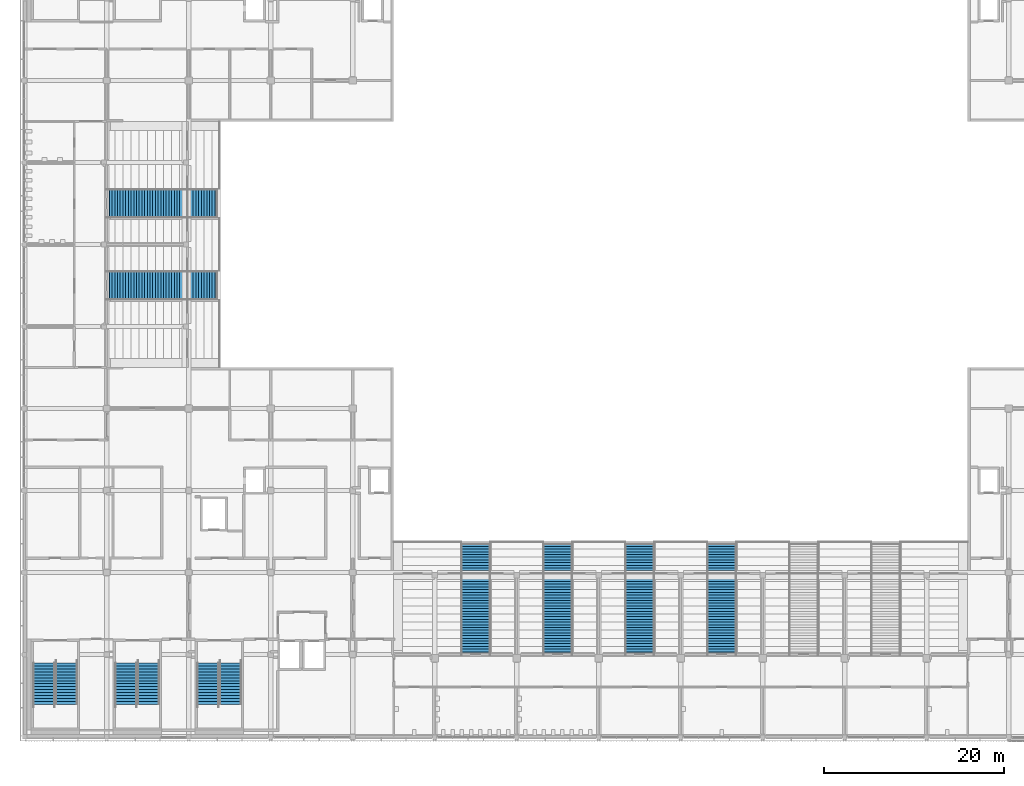
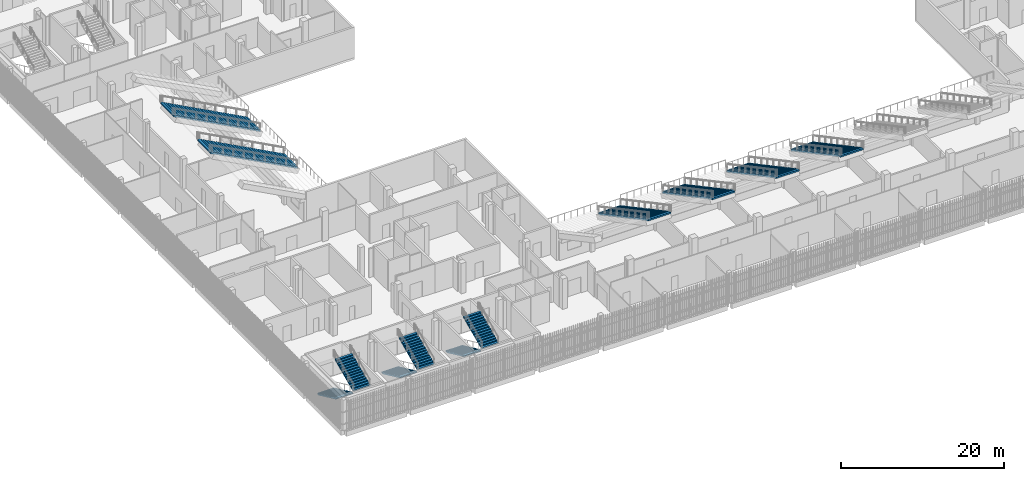
# One storey, part 92 of 139: 12 stair flights, 9 elements without a shape of their own.
"""IFC4 building model written with IfcOpenShell, lengths in metres."""

from ifc_helpers import new_model, si_unit, direction, frame, origin, place, context, subcontext, project, spatial, polyline, outline, extrude, material, type_object, element, aggregate, save


model = new_model("IFC4")

# Units and contexts
model_context = context("Model", 3, precision=1e-05, world=origin(), true_north=direction((0.0, 1.0)))
body_context = subcontext(model_context, "Body", "Model", "MODEL_VIEW")
ifc_project = project(units=[si_unit("LENGTHUNIT", "METRE"), si_unit("AREAUNIT", "SQUARE_METRE"), si_unit("VOLUMEUNIT", "CUBIC_METRE"), si_unit("PLANEANGLEUNIT", "RADIAN"), si_unit("MASSUNIT", "GRAM", prefix="KILO")], contexts=[model_context])

# Site, building, storey
site_placement = place(None, origin())
site = spatial("IfcSite", under=ifc_project, at=site_placement, CompositionType="ELEMENT")
building_placement = place(site_placement, origin())
building = spatial("IfcBuilding", under=site, at=building_placement, Name="Shirokan Park Arena", CompositionType="ELEMENT")
storey_placement = place(building_placement, frame((0.0, 0.0, 15.469970703125)))
storey = spatial("IfcBuildingStorey", under=building, at=storey_placement, Name="L03", CompositionType="ELEMENT", Elevation=15.469970703125)

# Stair, stair flights
ifc_material = material(Name="Concrete C30 precast", Category="concrete")
stair_type_1 = type_object("IfcStairType", Name="Stair 30 risers 152 x 327 2400 wide", PredefinedType="TWO_STRAIGHT_RUN_STAIR", material=ifc_material)
stair_1_placement = place(storey_placement, origin())
stair_1 = element("IfcStair", 1, at=stair_1_placement, inside=storey, type_object=stair_type_1, Name="Exit Stair 1.A L03 to L04", PredefinedType="TWO_STRAIGHT_RUN_STAIR")
stair_flight_type_1 = type_object("IfcStairFlightType", Name="Stair flight 15 risers 152 x 327 2400 wide", PredefinedType="STRAIGHT", material=ifc_material)
stair_flight_1_placement = place(storey_placement, frame((2.14990234375, 8.14990234375, 0.0), z_axis=(0.0, 0.0, 1.0), x_axis=(0.0, -1.0, 0.0)))
stair_flight_1 = element("IfcStairFlight", 2, at=stair_flight_1_placement, type_object=stair_flight_type_1, Name="ST01.4 flight 1", NumberOfRisers=15, NumberOfTreads=14, PredefinedType="STRAIGHT", RiserHeight=0.151666667, TreadLength=0.3267, context=body_context, shape_type="SweptSolid", body=[
    extrude(outline(polyline([(0.0, 0.0), (0.0, 0.151611328125), (0.32666015625, 0.151611328125), (0.32666015625, 0.30322265625), (0.6533203125, 0.30322265625), (0.6533203125, 0.455078125), (0.97998046875, 0.455078125), (0.97998046875, 0.606689453125), (1.306884765625, 0.606689453125), (1.306884765625, 0.75830078125), (1.633544921875, 0.75830078125), (1.633544921875, 0.909912109375), (1.960205078125, 0.909912109375), (1.960205078125, 1.061767578125), (2.286865234375, 1.061767578125), (2.286865234375, 1.21337890625), (2.613525390625, 1.21337890625), (2.613525390625, 1.364990234375), (2.940185546875, 1.364990234375), (2.940185546875, 1.5166015625), (3.26708984375, 1.5166015625), (3.26708984375, 1.668212890625), (3.59375, 1.668212890625), (3.59375, 1.820068359375), (3.92041015625, 1.820068359375), (3.92041015625, 1.9716796875), (4.2470703125, 1.9716796875), (4.2470703125, 2.123291015625), (4.57373046875, 2.123291015625), (4.57373046875, 2.27490234375), (4.57373046875, 1.9580078125), (0.35595703125, 0.0), (0.0, 0.0)])), frame((0.0, 1.199951171875, 0.0), z_axis=(0.0, -1.0, 0.0), x_axis=(1.0, 0.0, 0.0)), (0.0, 0.0, 1.0), 2.39990234375),
])
stair_flight_2_placement = place(storey_placement, frame((4.64990234375, 3.576171875, 2.275146484375), z_axis=(0.0, 0.0, 1.0), x_axis=(0.0, 1.0, 0.0)))
stair_flight_2 = element("IfcStairFlight", 3, at=stair_flight_2_placement, type_object=stair_flight_type_1, Name="ST01.4 flight 2", NumberOfRisers=15, NumberOfTreads=14, PredefinedType="STRAIGHT", RiserHeight=0.151666667, TreadLength=0.3267, context=body_context, shape_type="SweptSolid", body=[
    extrude(outline(polyline([(0.0, 0.0), (0.0, 0.151611328125), (0.32666015625, 0.151611328125), (0.32666015625, 0.30322265625), (0.6533203125, 0.30322265625), (0.6533203125, 0.455078125), (0.97998046875, 0.455078125), (0.97998046875, 0.606689453125), (1.306884765625, 0.606689453125), (1.306884765625, 0.75830078125), (1.633544921875, 0.75830078125), (1.633544921875, 0.909912109375), (1.960205078125, 0.909912109375), (1.960205078125, 1.061767578125), (2.286865234375, 1.061767578125), (2.286865234375, 1.21337890625), (2.613525390625, 1.21337890625), (2.613525390625, 1.364990234375), (2.940185546875, 1.364990234375), (2.940185546875, 1.5166015625), (3.26708984375, 1.5166015625), (3.26708984375, 1.668212890625), (3.59375, 1.668212890625), (3.59375, 1.820068359375), (3.92041015625, 1.820068359375), (3.92041015625, 1.9716796875), (4.2470703125, 1.9716796875), (4.2470703125, 2.123291015625), (4.57373046875, 2.123291015625), (4.57373046875, 2.27490234375), (4.57373046875, 1.9580078125), (0.35595703125, 0.0), (0.0, 0.0)])), frame((0.0, 1.199951171875, 0.0), z_axis=(0.0, -1.0, 0.0), x_axis=(1.0, 0.0, 0.0)), (0.0, 0.0, 1.0), 2.39990234375),
])
aggregate(stair_1, [stair_flight_1, stair_flight_2])

stair_2_placement = place(storey_placement, origin())
stair_2 = element("IfcStair", 4, at=stair_2_placement, inside=storey, type_object=stair_type_1, Name="Exit Stair 1.B L03 to L04", PredefinedType="TWO_STRAIGHT_RUN_STAIR")
stair_flight_3_placement = place(storey_placement, frame((11.25, 8.14990234375, 0.0), z_axis=(0.0, 0.0, 1.0), x_axis=(0.0, -1.0, 0.0)))
stair_flight_3 = element("IfcStairFlight", 5, at=stair_flight_3_placement, type_object=stair_flight_type_1, Name="ST02.4 flight 1", NumberOfRisers=15, NumberOfTreads=14, PredefinedType="STRAIGHT", RiserHeight=0.151666667, TreadLength=0.3267, context=body_context, shape_type="SweptSolid", body=[
    extrude(outline(polyline([(0.0, 0.0), (0.0, 0.151611328125), (0.32666015625, 0.151611328125), (0.32666015625, 0.30322265625), (0.6533203125, 0.30322265625), (0.6533203125, 0.455078125), (0.97998046875, 0.455078125), (0.97998046875, 0.606689453125), (1.306884765625, 0.606689453125), (1.306884765625, 0.75830078125), (1.633544921875, 0.75830078125), (1.633544921875, 0.909912109375), (1.960205078125, 0.909912109375), (1.960205078125, 1.061767578125), (2.286865234375, 1.061767578125), (2.286865234375, 1.21337890625), (2.613525390625, 1.21337890625), (2.613525390625, 1.364990234375), (2.940185546875, 1.364990234375), (2.940185546875, 1.5166015625), (3.26708984375, 1.5166015625), (3.26708984375, 1.668212890625), (3.59375, 1.668212890625), (3.59375, 1.820068359375), (3.92041015625, 1.820068359375), (3.92041015625, 1.9716796875), (4.2470703125, 1.9716796875), (4.2470703125, 2.123291015625), (4.57373046875, 2.123291015625), (4.57373046875, 2.27490234375), (4.57373046875, 1.9580078125), (0.35595703125, 0.0), (0.0, 0.0)])), frame((0.0, 1.199951171875, 0.0), z_axis=(0.0, -1.0, 0.0), x_axis=(1.0, 0.0, 0.0)), (0.0, 0.0, 1.0), 2.39990234375),
])
stair_flight_4_placement = place(storey_placement, frame((13.75, 3.576171875, 2.275146484375), z_axis=(0.0, 0.0, 1.0), x_axis=(0.0, 1.0, 0.0)))
stair_flight_4 = element("IfcStairFlight", 6, at=stair_flight_4_placement, type_object=stair_flight_type_1, Name="ST02.4 flight 2", NumberOfRisers=15, NumberOfTreads=14, PredefinedType="STRAIGHT", RiserHeight=0.151666667, TreadLength=0.3267, context=body_context, shape_type="SweptSolid", body=[
    extrude(outline(polyline([(0.0, 0.0), (0.0, 0.151611328125), (0.32666015625, 0.151611328125), (0.32666015625, 0.30322265625), (0.6533203125, 0.30322265625), (0.6533203125, 0.455078125), (0.97998046875, 0.455078125), (0.97998046875, 0.606689453125), (1.306884765625, 0.606689453125), (1.306884765625, 0.75830078125), (1.633544921875, 0.75830078125), (1.633544921875, 0.909912109375), (1.960205078125, 0.909912109375), (1.960205078125, 1.061767578125), (2.286865234375, 1.061767578125), (2.286865234375, 1.21337890625), (2.613525390625, 1.21337890625), (2.613525390625, 1.364990234375), (2.940185546875, 1.364990234375), (2.940185546875, 1.5166015625), (3.26708984375, 1.5166015625), (3.26708984375, 1.668212890625), (3.59375, 1.668212890625), (3.59375, 1.820068359375), (3.92041015625, 1.820068359375), (3.92041015625, 1.9716796875), (4.2470703125, 1.9716796875), (4.2470703125, 2.123291015625), (4.57373046875, 2.123291015625), (4.57373046875, 2.27490234375), (4.57373046875, 1.9580078125), (0.35595703125, 0.0), (0.0, 0.0)])), frame((0.0, 1.199951171875, 0.0), z_axis=(0.0, -1.0, 0.0), x_axis=(1.0, 0.0, 0.0)), (0.0, 0.0, 1.0), 2.39990234375),
])
aggregate(stair_2, [stair_flight_3, stair_flight_4])

stair_3_placement = place(storey_placement, origin())
stair_3 = element("IfcStair", 7, at=stair_3_placement, inside=storey, type_object=stair_type_1, Name="Exit Stair 1.C L03 to L04", PredefinedType="TWO_STRAIGHT_RUN_STAIR")
stair_flight_5_placement = place(storey_placement, frame((20.35009765625, 8.14990234375, 0.0), z_axis=(0.0, 0.0, 1.0), x_axis=(0.0, -1.0, 0.0)))
stair_flight_5 = element("IfcStairFlight", 8, at=stair_flight_5_placement, type_object=stair_flight_type_1, Name="ST03.4 flight 1", NumberOfRisers=15, NumberOfTreads=14, PredefinedType="STRAIGHT", RiserHeight=0.151666667, TreadLength=0.3267, context=body_context, shape_type="SweptSolid", body=[
    extrude(outline(polyline([(0.0, 0.0), (0.0, 0.151611328125), (0.32666015625, 0.151611328125), (0.32666015625, 0.30322265625), (0.6533203125, 0.30322265625), (0.6533203125, 0.455078125), (0.97998046875, 0.455078125), (0.97998046875, 0.606689453125), (1.306884765625, 0.606689453125), (1.306884765625, 0.75830078125), (1.633544921875, 0.75830078125), (1.633544921875, 0.909912109375), (1.960205078125, 0.909912109375), (1.960205078125, 1.061767578125), (2.286865234375, 1.061767578125), (2.286865234375, 1.21337890625), (2.613525390625, 1.21337890625), (2.613525390625, 1.364990234375), (2.940185546875, 1.364990234375), (2.940185546875, 1.5166015625), (3.26708984375, 1.5166015625), (3.26708984375, 1.668212890625), (3.59375, 1.668212890625), (3.59375, 1.820068359375), (3.92041015625, 1.820068359375), (3.92041015625, 1.9716796875), (4.2470703125, 1.9716796875), (4.2470703125, 2.123291015625), (4.57373046875, 2.123291015625), (4.57373046875, 2.27490234375), (4.57373046875, 1.9580078125), (0.35595703125, 0.0), (0.0, 0.0)])), frame((0.0, 1.199951171875, 0.0), z_axis=(0.0, -1.0, 0.0), x_axis=(1.0, 0.0, 0.0)), (0.0, 0.0, 1.0), 2.39990234375),
])
stair_flight_6_placement = place(storey_placement, frame((22.85009765625, 3.576171875, 2.275146484375), z_axis=(0.0, 0.0, 1.0), x_axis=(0.0, 1.0, 0.0)))
stair_flight_6 = element("IfcStairFlight", 9, at=stair_flight_6_placement, type_object=stair_flight_type_1, Name="ST03.4 flight 2", NumberOfRisers=15, NumberOfTreads=14, PredefinedType="STRAIGHT", RiserHeight=0.151666667, TreadLength=0.3267, context=body_context, shape_type="SweptSolid", body=[
    extrude(outline(polyline([(0.0, 0.0), (0.0, 0.151611328125), (0.32666015625, 0.151611328125), (0.32666015625, 0.30322265625), (0.6533203125, 0.30322265625), (0.6533203125, 0.455078125), (0.97998046875, 0.455078125), (0.97998046875, 0.606689453125), (1.306884765625, 0.606689453125), (1.306884765625, 0.75830078125), (1.633544921875, 0.75830078125), (1.633544921875, 0.909912109375), (1.960205078125, 0.909912109375), (1.960205078125, 1.061767578125), (2.286865234375, 1.061767578125), (2.286865234375, 1.21337890625), (2.613525390625, 1.21337890625), (2.613525390625, 1.364990234375), (2.940185546875, 1.364990234375), (2.940185546875, 1.5166015625), (3.26708984375, 1.5166015625), (3.26708984375, 1.668212890625), (3.59375, 1.668212890625), (3.59375, 1.820068359375), (3.92041015625, 1.820068359375), (3.92041015625, 1.9716796875), (4.2470703125, 1.9716796875), (4.2470703125, 2.123291015625), (4.57373046875, 2.123291015625), (4.57373046875, 2.27490234375), (4.57373046875, 1.9580078125), (0.35595703125, 0.0), (0.0, 0.0)])), frame((0.0, 1.199951171875, 0.0), z_axis=(0.0, -1.0, 0.0), x_axis=(1.0, 0.0, 0.0)), (0.0, 0.0, 1.0), 2.39990234375),
])
aggregate(stair_3, [stair_flight_5, stair_flight_6])

# Stair, stair flight
stair_type_2 = type_object("IfcStairType", Name="Stair 42 risers 160 x 300 3200 wide", PredefinedType="STRAIGHT_RUN_STAIR", material=ifc_material)
stair_4_placement = place(storey_placement, origin())
stair_4 = element("IfcStair", 10, at=stair_4_placement, inside=storey, type_object=stair_type_2, Name="Vomitory stair S1 upper", PredefinedType="STRAIGHT_RUN_STAIR")
stair_flight_type_2 = type_object("IfcStairFlightType", Name="Stair flight 42 risers 160 x 300 3200 wide", PredefinedType="STRAIGHT", material=ifc_material)
stair_flight_7_placement = place(storey_placement, frame((50.050048828125, 21.39990234375, 2.380126953125), z_axis=(0.0, 0.0, 1.0), x_axis=(0.0, -1.0, 0.0)))
stair_flight_7 = element("IfcStairFlight", 11, at=stair_flight_7_placement, type_object=stair_flight_type_2, Name="VS-S1U flight 1", NumberOfRisers=42, NumberOfTreads=41, PredefinedType="STRAIGHT", RiserHeight=0.16, TreadLength=0.3, context=body_context, shape_type="SweptSolid", body=[
    extrude(outline(polyline([(0.0, -0.2265625), (0.0, 0.0), (0.0, 0.159912109375), (0.300048828125, 0.159912109375), (0.300048828125, 0.320068359375), (0.60009765625, 0.320068359375), (0.60009765625, 0.47998046875), (0.89990234375, 0.47998046875), (0.89990234375, 0.639892578125), (1.199951171875, 0.639892578125), (1.199951171875, 0.800048828125), (1.5, 0.800048828125), (1.5, 0.9599609375), (1.800048828125, 0.9599609375), (1.800048828125, 1.1201171875), (2.10009765625, 1.1201171875), (2.10009765625, 1.280029296875), (2.39990234375, 1.280029296875), (2.39990234375, 1.43994140625), (2.699951171875, 1.43994140625), (2.699951171875, 1.60009765625), (3.0, 1.60009765625), (3.0, 1.760009765625), (3.300048828125, 1.760009765625), (3.300048828125, 1.919921875), (3.60009765625, 1.919921875), (3.60009765625, 2.080078125), (3.89990234375, 2.080078125), (3.89990234375, 2.239990234375), (4.199951171875, 2.239990234375), (4.199951171875, 2.39990234375), (4.5, 2.39990234375), (4.5, 2.56005859375), (4.800048828125, 2.56005859375), (4.800048828125, 2.719970703125), (5.10009765625, 2.719970703125), (5.10009765625, 2.8798828125), (5.39990234375, 2.8798828125), (5.39990234375, 3.0400390625), (5.699951171875, 3.0400390625), (5.699951171875, 3.199951171875), (6.0, 3.199951171875), (6.0, 3.360107421875), (6.300048828125, 3.360107421875), (6.300048828125, 3.52001953125), (6.60009765625, 3.52001953125), (6.60009765625, 3.679931640625), (6.89990234375, 3.679931640625), (6.89990234375, 3.840087890625), (7.199951171875, 3.840087890625), (7.199951171875, 4.0), (7.5, 4.0), (7.5, 4.159912109375), (7.800048828125, 4.159912109375), (7.800048828125, 4.320068359375), (8.10009765625, 4.320068359375), (8.10009765625, 4.47998046875), (8.39990234375, 4.47998046875), (8.39990234375, 4.639892578125), (8.699951171875, 4.639892578125), (8.699951171875, 4.800048828125), (9.0, 4.800048828125), (9.0, 4.9599609375), (9.300048828125, 4.9599609375), (9.300048828125, 5.1201171875), (9.60009765625, 5.1201171875), (9.60009765625, 5.280029296875), (9.89990234375, 5.280029296875), (9.89990234375, 5.43994140625), (10.199951171875, 5.43994140625), (10.199951171875, 5.60009765625), (10.5, 5.60009765625), (10.5, 5.760009765625), (10.800048828125, 5.760009765625), (10.800048828125, 5.919921875), (11.10009765625, 5.919921875), (11.10009765625, 6.080078125), (11.39990234375, 6.080078125), (11.39990234375, 6.239990234375), (11.699951171875, 6.239990234375), (11.699951171875, 6.39990234375), (12.0, 6.39990234375), (12.0, 6.56005859375), (12.300048828125, 6.56005859375), (12.300048828125, 6.719970703125), (12.300048828125, 6.33349609375), (0.0, -0.2265625)])), frame((0.0, 1.60009765625, 0.0), z_axis=(0.0, -1.0, 0.0), x_axis=(1.0, 0.0, 0.0)), (0.0, 0.0, 1.0), 3.199951171875),
])
aggregate(stair_4, [stair_flight_7])

stair_5_placement = place(storey_placement, origin())
stair_5 = element("IfcStair", 12, at=stair_5_placement, inside=storey, type_object=stair_type_2, Name="Vomitory stair S2 upper", PredefinedType="STRAIGHT_RUN_STAIR")
stair_flight_8_placement = place(storey_placement, frame((59.14990234375, 21.39990234375, 2.380126953125), z_axis=(0.0, 0.0, 1.0), x_axis=(0.0, -1.0, 0.0)))
stair_flight_8 = element("IfcStairFlight", 13, at=stair_flight_8_placement, type_object=stair_flight_type_2, Name="VS-S2U flight 1", NumberOfRisers=42, NumberOfTreads=41, PredefinedType="STRAIGHT", RiserHeight=0.16, TreadLength=0.3, context=body_context, shape_type="SweptSolid", body=[
    extrude(outline(polyline([(0.0, -0.2265625), (0.0, 0.0), (0.0, 0.159912109375), (0.300048828125, 0.159912109375), (0.300048828125, 0.320068359375), (0.60009765625, 0.320068359375), (0.60009765625, 0.47998046875), (0.89990234375, 0.47998046875), (0.89990234375, 0.639892578125), (1.199951171875, 0.639892578125), (1.199951171875, 0.800048828125), (1.5, 0.800048828125), (1.5, 0.9599609375), (1.800048828125, 0.9599609375), (1.800048828125, 1.1201171875), (2.10009765625, 1.1201171875), (2.10009765625, 1.280029296875), (2.39990234375, 1.280029296875), (2.39990234375, 1.43994140625), (2.699951171875, 1.43994140625), (2.699951171875, 1.60009765625), (3.0, 1.60009765625), (3.0, 1.760009765625), (3.300048828125, 1.760009765625), (3.300048828125, 1.919921875), (3.60009765625, 1.919921875), (3.60009765625, 2.080078125), (3.89990234375, 2.080078125), (3.89990234375, 2.239990234375), (4.199951171875, 2.239990234375), (4.199951171875, 2.39990234375), (4.5, 2.39990234375), (4.5, 2.56005859375), (4.800048828125, 2.56005859375), (4.800048828125, 2.719970703125), (5.10009765625, 2.719970703125), (5.10009765625, 2.8798828125), (5.39990234375, 2.8798828125), (5.39990234375, 3.0400390625), (5.699951171875, 3.0400390625), (5.699951171875, 3.199951171875), (6.0, 3.199951171875), (6.0, 3.360107421875), (6.300048828125, 3.360107421875), (6.300048828125, 3.52001953125), (6.60009765625, 3.52001953125), (6.60009765625, 3.679931640625), (6.89990234375, 3.679931640625), (6.89990234375, 3.840087890625), (7.199951171875, 3.840087890625), (7.199951171875, 4.0), (7.5, 4.0), (7.5, 4.159912109375), (7.800048828125, 4.159912109375), (7.800048828125, 4.320068359375), (8.10009765625, 4.320068359375), (8.10009765625, 4.47998046875), (8.39990234375, 4.47998046875), (8.39990234375, 4.639892578125), (8.699951171875, 4.639892578125), (8.699951171875, 4.800048828125), (9.0, 4.800048828125), (9.0, 4.9599609375), (9.300048828125, 4.9599609375), (9.300048828125, 5.1201171875), (9.60009765625, 5.1201171875), (9.60009765625, 5.280029296875), (9.89990234375, 5.280029296875), (9.89990234375, 5.43994140625), (10.199951171875, 5.43994140625), (10.199951171875, 5.60009765625), (10.5, 5.60009765625), (10.5, 5.760009765625), (10.800048828125, 5.760009765625), (10.800048828125, 5.919921875), (11.10009765625, 5.919921875), (11.10009765625, 6.080078125), (11.39990234375, 6.080078125), (11.39990234375, 6.239990234375), (11.699951171875, 6.239990234375), (11.699951171875, 6.39990234375), (12.0, 6.39990234375), (12.0, 6.56005859375), (12.300048828125, 6.56005859375), (12.300048828125, 6.719970703125), (12.300048828125, 6.33349609375), (0.0, -0.2265625)])), frame((0.0, 1.60009765625, 0.0), z_axis=(0.0, -1.0, 0.0), x_axis=(1.0, 0.0, 0.0)), (0.0, 0.0, 1.0), 3.199951171875),
])
aggregate(stair_5, [stair_flight_8])

stair_6_placement = place(storey_placement, origin())
stair_6 = element("IfcStair", 14, at=stair_6_placement, inside=storey, type_object=stair_type_2, Name="Vomitory stair S3 upper", PredefinedType="STRAIGHT_RUN_STAIR")
stair_flight_9_placement = place(storey_placement, frame((68.25, 21.39990234375, 2.380126953125), z_axis=(0.0, 0.0, 1.0), x_axis=(0.0, -1.0, 0.0)))
stair_flight_9 = element("IfcStairFlight", 15, at=stair_flight_9_placement, type_object=stair_flight_type_2, Name="VS-S3U flight 1", NumberOfRisers=42, NumberOfTreads=41, PredefinedType="STRAIGHT", RiserHeight=0.16, TreadLength=0.3, context=body_context, shape_type="SweptSolid", body=[
    extrude(outline(polyline([(0.0, -0.2265625), (0.0, 0.0), (0.0, 0.159912109375), (0.300048828125, 0.159912109375), (0.300048828125, 0.320068359375), (0.60009765625, 0.320068359375), (0.60009765625, 0.47998046875), (0.89990234375, 0.47998046875), (0.89990234375, 0.639892578125), (1.199951171875, 0.639892578125), (1.199951171875, 0.800048828125), (1.5, 0.800048828125), (1.5, 0.9599609375), (1.800048828125, 0.9599609375), (1.800048828125, 1.1201171875), (2.10009765625, 1.1201171875), (2.10009765625, 1.280029296875), (2.39990234375, 1.280029296875), (2.39990234375, 1.43994140625), (2.699951171875, 1.43994140625), (2.699951171875, 1.60009765625), (3.0, 1.60009765625), (3.0, 1.760009765625), (3.300048828125, 1.760009765625), (3.300048828125, 1.919921875), (3.60009765625, 1.919921875), (3.60009765625, 2.080078125), (3.89990234375, 2.080078125), (3.89990234375, 2.239990234375), (4.199951171875, 2.239990234375), (4.199951171875, 2.39990234375), (4.5, 2.39990234375), (4.5, 2.56005859375), (4.800048828125, 2.56005859375), (4.800048828125, 2.719970703125), (5.10009765625, 2.719970703125), (5.10009765625, 2.8798828125), (5.39990234375, 2.8798828125), (5.39990234375, 3.0400390625), (5.699951171875, 3.0400390625), (5.699951171875, 3.199951171875), (6.0, 3.199951171875), (6.0, 3.360107421875), (6.300048828125, 3.360107421875), (6.300048828125, 3.52001953125), (6.60009765625, 3.52001953125), (6.60009765625, 3.679931640625), (6.89990234375, 3.679931640625), (6.89990234375, 3.840087890625), (7.199951171875, 3.840087890625), (7.199951171875, 4.0), (7.5, 4.0), (7.5, 4.159912109375), (7.800048828125, 4.159912109375), (7.800048828125, 4.320068359375), (8.10009765625, 4.320068359375), (8.10009765625, 4.47998046875), (8.39990234375, 4.47998046875), (8.39990234375, 4.639892578125), (8.699951171875, 4.639892578125), (8.699951171875, 4.800048828125), (9.0, 4.800048828125), (9.0, 4.9599609375), (9.300048828125, 4.9599609375), (9.300048828125, 5.1201171875), (9.60009765625, 5.1201171875), (9.60009765625, 5.280029296875), (9.89990234375, 5.280029296875), (9.89990234375, 5.43994140625), (10.199951171875, 5.43994140625), (10.199951171875, 5.60009765625), (10.5, 5.60009765625), (10.5, 5.760009765625), (10.800048828125, 5.760009765625), (10.800048828125, 5.919921875), (11.10009765625, 5.919921875), (11.10009765625, 6.080078125), (11.39990234375, 6.080078125), (11.39990234375, 6.239990234375), (11.699951171875, 6.239990234375), (11.699951171875, 6.39990234375), (12.0, 6.39990234375), (12.0, 6.56005859375), (12.300048828125, 6.56005859375), (12.300048828125, 6.719970703125), (12.300048828125, 6.33349609375), (0.0, -0.2265625)])), frame((0.0, 1.60009765625, 0.0), z_axis=(0.0, -1.0, 0.0), x_axis=(1.0, 0.0, 0.0)), (0.0, 0.0, 1.0), 3.199951171875),
])
aggregate(stair_6, [stair_flight_9])

stair_7_placement = place(storey_placement, origin())
stair_7 = element("IfcStair", 16, at=stair_7_placement, inside=storey, type_object=stair_type_2, Name="Vomitory stair S4 upper", PredefinedType="STRAIGHT_RUN_STAIR")
stair_flight_10_placement = place(storey_placement, frame((77.35009765625, 21.39990234375, 2.380126953125), z_axis=(0.0, 0.0, 1.0), x_axis=(0.0, -1.0, 0.0)))
stair_flight_10 = element("IfcStairFlight", 17, at=stair_flight_10_placement, type_object=stair_flight_type_2, Name="VS-S4U flight 1", NumberOfRisers=42, NumberOfTreads=41, PredefinedType="STRAIGHT", RiserHeight=0.16, TreadLength=0.3, context=body_context, shape_type="SweptSolid", body=[
    extrude(outline(polyline([(0.0, -0.2265625), (0.0, 0.0), (0.0, 0.159912109375), (0.300048828125, 0.159912109375), (0.300048828125, 0.320068359375), (0.60009765625, 0.320068359375), (0.60009765625, 0.47998046875), (0.89990234375, 0.47998046875), (0.89990234375, 0.639892578125), (1.199951171875, 0.639892578125), (1.199951171875, 0.800048828125), (1.5, 0.800048828125), (1.5, 0.9599609375), (1.800048828125, 0.9599609375), (1.800048828125, 1.1201171875), (2.10009765625, 1.1201171875), (2.10009765625, 1.280029296875), (2.39990234375, 1.280029296875), (2.39990234375, 1.43994140625), (2.699951171875, 1.43994140625), (2.699951171875, 1.60009765625), (3.0, 1.60009765625), (3.0, 1.760009765625), (3.300048828125, 1.760009765625), (3.300048828125, 1.919921875), (3.60009765625, 1.919921875), (3.60009765625, 2.080078125), (3.89990234375, 2.080078125), (3.89990234375, 2.239990234375), (4.199951171875, 2.239990234375), (4.199951171875, 2.39990234375), (4.5, 2.39990234375), (4.5, 2.56005859375), (4.800048828125, 2.56005859375), (4.800048828125, 2.719970703125), (5.10009765625, 2.719970703125), (5.10009765625, 2.8798828125), (5.39990234375, 2.8798828125), (5.39990234375, 3.0400390625), (5.699951171875, 3.0400390625), (5.699951171875, 3.199951171875), (6.0, 3.199951171875), (6.0, 3.360107421875), (6.300048828125, 3.360107421875), (6.300048828125, 3.52001953125), (6.60009765625, 3.52001953125), (6.60009765625, 3.679931640625), (6.89990234375, 3.679931640625), (6.89990234375, 3.840087890625), (7.199951171875, 3.840087890625), (7.199951171875, 4.0), (7.5, 4.0), (7.5, 4.159912109375), (7.800048828125, 4.159912109375), (7.800048828125, 4.320068359375), (8.10009765625, 4.320068359375), (8.10009765625, 4.47998046875), (8.39990234375, 4.47998046875), (8.39990234375, 4.639892578125), (8.699951171875, 4.639892578125), (8.699951171875, 4.800048828125), (9.0, 4.800048828125), (9.0, 4.9599609375), (9.300048828125, 4.9599609375), (9.300048828125, 5.1201171875), (9.60009765625, 5.1201171875), (9.60009765625, 5.280029296875), (9.89990234375, 5.280029296875), (9.89990234375, 5.43994140625), (10.199951171875, 5.43994140625), (10.199951171875, 5.60009765625), (10.5, 5.60009765625), (10.5, 5.760009765625), (10.800048828125, 5.760009765625), (10.800048828125, 5.919921875), (11.10009765625, 5.919921875), (11.10009765625, 6.080078125), (11.39990234375, 6.080078125), (11.39990234375, 6.239990234375), (11.699951171875, 6.239990234375), (11.699951171875, 6.39990234375), (12.0, 6.39990234375), (12.0, 6.56005859375), (12.300048828125, 6.56005859375), (12.300048828125, 6.719970703125), (12.300048828125, 6.33349609375), (0.0, -0.2265625)])), frame((0.0, 1.60009765625, 0.0), z_axis=(0.0, -1.0, 0.0), x_axis=(1.0, 0.0, 0.0)), (0.0, 0.0, 1.0), 3.199951171875),
])
aggregate(stair_7, [stair_flight_10])

stair_8_placement = place(storey_placement, origin())
stair_8 = element("IfcStair", 18, at=stair_8_placement, inside=storey, type_object=stair_type_2, Name="Vomitory stair W1 upper", PredefinedType="STRAIGHT_RUN_STAIR")
stair_flight_11_placement = place(storey_placement, frame((21.39990234375, 50.050048828125, 2.380126953125), z_axis=(0.0, 0.0, 1.0), x_axis=(-1.0, 0.0, 0.0)))
stair_flight_11 = element("IfcStairFlight", 19, at=stair_flight_11_placement, type_object=stair_flight_type_2, Name="VS-W1U flight 1", NumberOfRisers=42, NumberOfTreads=41, PredefinedType="STRAIGHT", RiserHeight=0.16, TreadLength=0.3, context=body_context, shape_type="SweptSolid", body=[
    extrude(outline(polyline([(0.0, -0.2265625), (0.0, 0.0), (0.0, 0.159912109375), (0.300048828125, 0.159912109375), (0.300048828125, 0.320068359375), (0.60009765625, 0.320068359375), (0.60009765625, 0.47998046875), (0.89990234375, 0.47998046875), (0.89990234375, 0.639892578125), (1.199951171875, 0.639892578125), (1.199951171875, 0.800048828125), (1.5, 0.800048828125), (1.5, 0.9599609375), (1.800048828125, 0.9599609375), (1.800048828125, 1.1201171875), (2.10009765625, 1.1201171875), (2.10009765625, 1.280029296875), (2.39990234375, 1.280029296875), (2.39990234375, 1.43994140625), (2.699951171875, 1.43994140625), (2.699951171875, 1.60009765625), (3.0, 1.60009765625), (3.0, 1.760009765625), (3.300048828125, 1.760009765625), (3.300048828125, 1.919921875), (3.60009765625, 1.919921875), (3.60009765625, 2.080078125), (3.89990234375, 2.080078125), (3.89990234375, 2.239990234375), (4.199951171875, 2.239990234375), (4.199951171875, 2.39990234375), (4.5, 2.39990234375), (4.5, 2.56005859375), (4.800048828125, 2.56005859375), (4.800048828125, 2.719970703125), (5.10009765625, 2.719970703125), (5.10009765625, 2.8798828125), (5.39990234375, 2.8798828125), (5.39990234375, 3.0400390625), (5.699951171875, 3.0400390625), (5.699951171875, 3.199951171875), (6.0, 3.199951171875), (6.0, 3.360107421875), (6.300048828125, 3.360107421875), (6.300048828125, 3.52001953125), (6.60009765625, 3.52001953125), (6.60009765625, 3.679931640625), (6.89990234375, 3.679931640625), (6.89990234375, 3.840087890625), (7.199951171875, 3.840087890625), (7.199951171875, 4.0), (7.5, 4.0), (7.5, 4.159912109375), (7.800048828125, 4.159912109375), (7.800048828125, 4.320068359375), (8.10009765625, 4.320068359375), (8.10009765625, 4.47998046875), (8.39990234375, 4.47998046875), (8.39990234375, 4.639892578125), (8.699951171875, 4.639892578125), (8.699951171875, 4.800048828125), (9.0, 4.800048828125), (9.0, 4.9599609375), (9.300048828125, 4.9599609375), (9.300048828125, 5.1201171875), (9.60009765625, 5.1201171875), (9.60009765625, 5.280029296875), (9.89990234375, 5.280029296875), (9.89990234375, 5.43994140625), (10.199951171875, 5.43994140625), (10.199951171875, 5.60009765625), (10.5, 5.60009765625), (10.5, 5.760009765625), (10.800048828125, 5.760009765625), (10.800048828125, 5.919921875), (11.10009765625, 5.919921875), (11.10009765625, 6.080078125), (11.39990234375, 6.080078125), (11.39990234375, 6.239990234375), (11.699951171875, 6.239990234375), (11.699951171875, 6.39990234375), (12.0, 6.39990234375), (12.0, 6.56005859375), (12.300048828125, 6.56005859375), (12.300048828125, 6.719970703125), (12.300048828125, 6.33349609375), (0.0, -0.2265625)])), frame((0.0, 1.60009765625, 0.0), z_axis=(0.0, -1.0, 0.0), x_axis=(1.0, 0.0, 0.0)), (0.0, 0.0, 1.0), 3.199951171875),
])
aggregate(stair_8, [stair_flight_11])

stair_9_placement = place(storey_placement, origin())
stair_9 = element("IfcStair", 20, at=stair_9_placement, inside=storey, type_object=stair_type_2, Name="Vomitory stair W2 upper", PredefinedType="STRAIGHT_RUN_STAIR")
stair_flight_12_placement = place(storey_placement, frame((21.39990234375, 59.14990234375, 2.380126953125), z_axis=(0.0, 0.0, 1.0), x_axis=(-1.0, 0.0, 0.0)))
stair_flight_12 = element("IfcStairFlight", 21, at=stair_flight_12_placement, type_object=stair_flight_type_2, Name="VS-W2U flight 1", NumberOfRisers=42, NumberOfTreads=41, PredefinedType="STRAIGHT", RiserHeight=0.16, TreadLength=0.3, context=body_context, shape_type="SweptSolid", body=[
    extrude(outline(polyline([(0.0, -0.2265625), (0.0, 0.0), (0.0, 0.159912109375), (0.300048828125, 0.159912109375), (0.300048828125, 0.320068359375), (0.60009765625, 0.320068359375), (0.60009765625, 0.47998046875), (0.89990234375, 0.47998046875), (0.89990234375, 0.639892578125), (1.199951171875, 0.639892578125), (1.199951171875, 0.800048828125), (1.5, 0.800048828125), (1.5, 0.9599609375), (1.800048828125, 0.9599609375), (1.800048828125, 1.1201171875), (2.10009765625, 1.1201171875), (2.10009765625, 1.280029296875), (2.39990234375, 1.280029296875), (2.39990234375, 1.43994140625), (2.699951171875, 1.43994140625), (2.699951171875, 1.60009765625), (3.0, 1.60009765625), (3.0, 1.760009765625), (3.300048828125, 1.760009765625), (3.300048828125, 1.919921875), (3.60009765625, 1.919921875), (3.60009765625, 2.080078125), (3.89990234375, 2.080078125), (3.89990234375, 2.239990234375), (4.199951171875, 2.239990234375), (4.199951171875, 2.39990234375), (4.5, 2.39990234375), (4.5, 2.56005859375), (4.800048828125, 2.56005859375), (4.800048828125, 2.719970703125), (5.10009765625, 2.719970703125), (5.10009765625, 2.8798828125), (5.39990234375, 2.8798828125), (5.39990234375, 3.0400390625), (5.699951171875, 3.0400390625), (5.699951171875, 3.199951171875), (6.0, 3.199951171875), (6.0, 3.360107421875), (6.300048828125, 3.360107421875), (6.300048828125, 3.52001953125), (6.60009765625, 3.52001953125), (6.60009765625, 3.679931640625), (6.89990234375, 3.679931640625), (6.89990234375, 3.840087890625), (7.199951171875, 3.840087890625), (7.199951171875, 4.0), (7.5, 4.0), (7.5, 4.159912109375), (7.800048828125, 4.159912109375), (7.800048828125, 4.320068359375), (8.10009765625, 4.320068359375), (8.10009765625, 4.47998046875), (8.39990234375, 4.47998046875), (8.39990234375, 4.639892578125), (8.699951171875, 4.639892578125), (8.699951171875, 4.800048828125), (9.0, 4.800048828125), (9.0, 4.9599609375), (9.300048828125, 4.9599609375), (9.300048828125, 5.1201171875), (9.60009765625, 5.1201171875), (9.60009765625, 5.280029296875), (9.89990234375, 5.280029296875), (9.89990234375, 5.43994140625), (10.199951171875, 5.43994140625), (10.199951171875, 5.60009765625), (10.5, 5.60009765625), (10.5, 5.760009765625), (10.800048828125, 5.760009765625), (10.800048828125, 5.919921875), (11.10009765625, 5.919921875), (11.10009765625, 6.080078125), (11.39990234375, 6.080078125), (11.39990234375, 6.239990234375), (11.699951171875, 6.239990234375), (11.699951171875, 6.39990234375), (12.0, 6.39990234375), (12.0, 6.56005859375), (12.300048828125, 6.56005859375), (12.300048828125, 6.719970703125), (12.300048828125, 6.33349609375), (0.0, -0.2265625)])), frame((0.0, 1.60009765625, 0.0), z_axis=(0.0, -1.0, 0.0), x_axis=(1.0, 0.0, 0.0)), (0.0, 0.0, 1.0), 3.199951171875),
])
aggregate(stair_9, [stair_flight_12])

save(model, "model.ifc")
